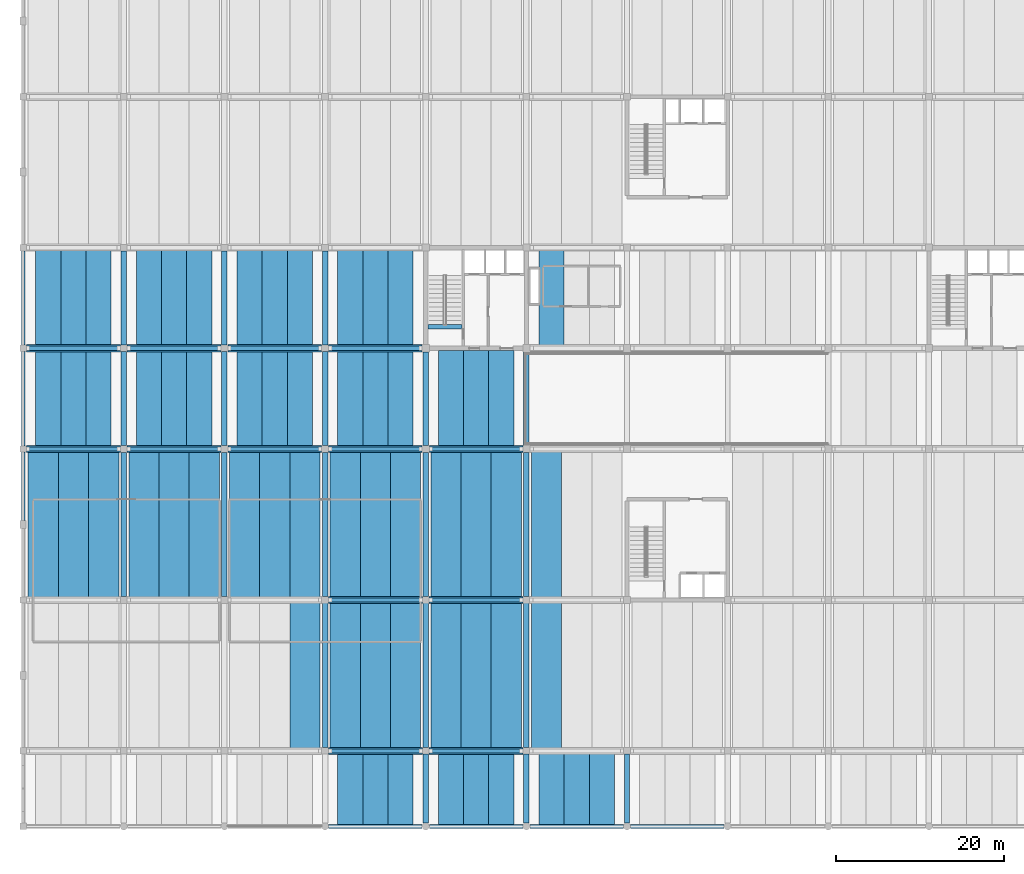
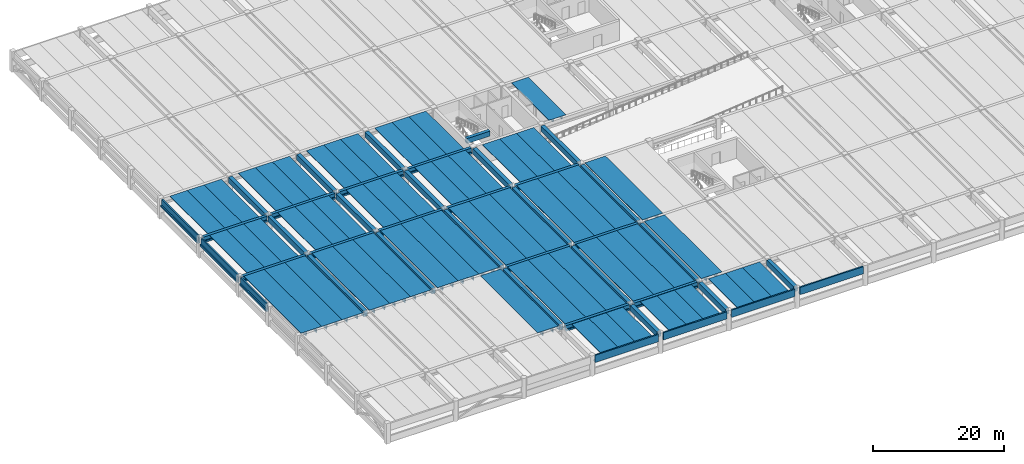
# One storey, part 2 of 21: 101 beams.
"""IFC4 building model written with IfcOpenShell, lengths in metres."""

from ifc_helpers import new_model, si_unit, direction, frame, origin, origin_2d, place, context, subcontext, project, spatial, polyline, rectangle, outline, extrude, material, material_profile, profile_set, type_object, element, save


model = new_model("IFC4")

# Units and contexts
model_context = context("Model", 3, precision=1e-05, world=origin(), true_north=direction((0.0, 1.0)))
body_context = subcontext(model_context, "Body", "Model", "MODEL_VIEW")
ifc_project = project(units=[si_unit("LENGTHUNIT", "METRE"), si_unit("AREAUNIT", "SQUARE_METRE"), si_unit("VOLUMEUNIT", "CUBIC_METRE"), si_unit("PLANEANGLEUNIT", "RADIAN"), si_unit("MASSUNIT", "GRAM", prefix="KILO")], contexts=[model_context])

# Site, building, storey
site_placement = place(None, origin())
site = spatial("IfcSite", under=ifc_project, at=site_placement, CompositionType="ELEMENT")
building_placement = place(site_placement, origin())
building = spatial("IfcBuilding", under=site, at=building_placement, Name="Girod Span Mobility Hub", CompositionType="ELEMENT")
storey_placement = place(building_placement, frame((0.0, 0.0, 17.199951171875)))
storey = spatial("IfcBuildingStorey", under=building, at=storey_placement, Name="L04", CompositionType="ELEMENT", Elevation=17.199951171875)

# Beams
ifc_material_1 = material(Name="Concrete C50/60", Category="concrete")
ifc_material_profile_1 = material_profile(ifc_material_1, outline(polyline([(-1.5, 0.300048828125), (-1.5, 0.2099609375), (-0.8349609375, 0.2099609375), (-0.8125, -0.300048828125), (-0.6875, -0.300048828125), (-0.6650390625, 0.2099609375), (0.6650390625, 0.2099609375), (0.6875, -0.300048828125), (0.8125, -0.300048828125), (0.8349609375, 0.2099609375), (1.5, 0.2099609375), (1.5, 0.300048828125), (-1.5, 0.300048828125)])), Name="DT-3000X600")
ifc_profile_set_1 = profile_set([ifc_material_profile_1], Name="Concrete C50/60")
beam_type_1 = type_object("IfcBeamType", Name="BM-DT-3000X600", PredefinedType="JOIST", material=ifc_profile_set_1)
for number, where, z_axis, x_axis, name in (
    (1, (3.0, 45.2470703125, 3.280029296875), (0.0, 1.0, 0.0), (-1.0, 0.0, 0.0), "Double-Tee Deck 1/D-1 L04"),
    (2, (6.0, 45.2470703125, 3.280029296875), (0.0, 1.0, 0.0), (-1.0, 0.0, 0.0), "Double-Tee Deck 1/D-2 L04"),
    (3, (9.0, 45.2470703125, 3.280029296875), (0.0, 1.0, 0.0), (-1.0, 0.0, 0.0), "Double-Tee Deck 1/D-3 L04"),
    (4, (3.0, 57.2470703125, 3.280029296875), (0.0, 1.0, 0.0), (-1.0, 0.0, 0.0), "Double-Tee Deck 1/E-1 L04"),
    (5, (6.0, 57.2470703125, 3.280029296875), (0.0, 1.0, 0.0), (-1.0, 0.0, 0.0), "Double-Tee Deck 1/E-2 L04"),
    (6, (9.0, 57.2470703125, 3.280029296875), (0.0, 1.0, 0.0), (-1.0, 0.0, 0.0), "Double-Tee Deck 1/E-3 L04"),
    (7, (15.0, 45.2470703125, 3.340087890625), (0.0, 1.0, 0.0), (-1.0, 0.0, 0.0), "Double-Tee Deck 2/D-1 L04"),
    (8, (18.0, 45.2470703125, 3.340087890625), (0.0, 1.0, 0.0), (-1.0, 0.0, 0.0), "Double-Tee Deck 2/D-2 L04"),
    (9, (21.0, 45.2470703125, 3.340087890625), (0.0, 1.0, 0.0), (-1.0, 0.0, 0.0), "Double-Tee Deck 2/D-3 L04"),
    (10, (15.0, 57.2470703125, 3.340087890625), (0.0, 1.0, 0.0), (-1.0, 0.0, 0.0), "Double-Tee Deck 2/E-1 L04"),
    (11, (18.0, 57.2470703125, 3.340087890625), (0.0, 1.0, 0.0), (-1.0, 0.0, 0.0), "Double-Tee Deck 2/E-2 L04"),
    (12, (21.0, 57.2470703125, 3.340087890625), (0.0, 1.0, 0.0), (-1.0, 0.0, 0.0), "Double-Tee Deck 2/E-3 L04"),
    (13, (27.0, 45.2470703125, 3.340087890625), (0.0, 1.0, 0.0), (-1.0, 0.0, 0.0), "Double-Tee Deck 3/D-1 L04"),
    (14, (30.0, 45.2470703125, 3.340087890625), (0.0, 1.0, 0.0), (-1.0, 0.0, 0.0), "Double-Tee Deck 3/D-2 L04"),
    (15, (33.0, 45.2470703125, 3.340087890625), (0.0, 1.0, 0.0), (-1.0, 0.0, 0.0), "Double-Tee Deck 3/D-3 L04"),
    (16, (27.0, 57.2470703125, 3.340087890625), (0.0, 1.0, 0.0), (-1.0, 0.0, 0.0), "Double-Tee Deck 3/E-1 L04"),
    (17, (30.0, 57.2470703125, 3.340087890625), (0.0, 1.0, 0.0), (-1.0, 0.0, 0.0), "Double-Tee Deck 3/E-2 L04"),
    (18, (33.0, 57.2470703125, 3.340087890625), (0.0, 1.0, 0.0), (-1.0, 0.0, 0.0), "Double-Tee Deck 3/E-3 L04"),
):
    element("IfcBeam", number, at=place(storey_placement, frame(where, z_axis=z_axis, x_axis=x_axis)), inside=storey, type_object=beam_type_1, Name=name, PredefinedType="JOIST", context=body_context, shape_type="SweptSolid", body=[
        extrude(outline(polyline([(-1.5, 0.300048828125), (-1.5, 0.2099609375), (-0.8349609375, 0.2099609375), (-0.8125, -0.300048828125), (-0.6875, -0.300048828125), (-0.6650390625, 0.2099609375), (0.6650390625, 0.2099609375), (0.6875, -0.300048828125), (0.8125, -0.300048828125), (0.8349609375, 0.2099609375), (1.5, 0.2099609375), (1.5, 0.300048828125), (-1.5, 0.300048828125)])), origin(), (0.0, 0.0, 1.0), 11.505859375),
    ])
for number, where, z_axis, x_axis, name in (
    (19, (39.0, 0.02197265625, 3.280029296875), (0.0, 1.0, 0.0), (-1.0, 0.0, 0.0), "Double-Tee Deck 4/A-1 L04"),
    (20, (42.0, 0.02197265625, 3.280029296875), (0.0, 1.0, 0.0), (-1.0, 0.0, 0.0), "Double-Tee Deck 4/A-2 L04"),
    (21, (45.0, 0.02197265625, 3.280029296875), (0.0, 1.0, 0.0), (-1.0, 0.0, 0.0), "Double-Tee Deck 4/A-3 L04"),
):
    element("IfcBeam", number, at=place(storey_placement, frame(where, z_axis=z_axis, x_axis=x_axis)), inside=storey, type_object=beam_type_1, Name=name, PredefinedType="JOIST", context=body_context, shape_type="SweptSolid", body=[
        extrude(outline(polyline([(-1.5, 0.300048828125), (-1.5, 0.2099609375), (-0.8349609375, 0.2099609375), (-0.8125, -0.300048828125), (-0.6875, -0.300048828125), (-0.6650390625, 0.2099609375), (0.6650390625, 0.2099609375), (0.6875, -0.300048828125), (0.8125, -0.300048828125), (0.8349609375, 0.2099609375), (1.5, 0.2099609375), (1.5, 0.300048828125), (-1.5, 0.300048828125)])), origin(), (0.0, 0.0, 1.0), 8.73095703125),
    ])
for number, where, z_axis, x_axis, name in (
    (22, (39.0, 45.2470703125, 3.340087890625), (0.0, 1.0, 0.0), (-1.0, 0.0, 0.0), "Double-Tee Deck 4/D-1 L04"),
    (23, (42.0, 45.2470703125, 3.340087890625), (0.0, 1.0, 0.0), (-1.0, 0.0, 0.0), "Double-Tee Deck 4/D-2 L04"),
    (24, (45.0, 45.2470703125, 3.340087890625), (0.0, 1.0, 0.0), (-1.0, 0.0, 0.0), "Double-Tee Deck 4/D-3 L04"),
    (25, (39.0, 57.2470703125, 3.340087890625), (0.0, 1.0, 0.0), (-1.0, 0.0, 0.0), "Double-Tee Deck 4/E-1 L04"),
    (26, (42.0, 57.2470703125, 3.340087890625), (0.0, 1.0, 0.0), (-1.0, 0.0, 0.0), "Double-Tee Deck 4/E-2 L04"),
    (27, (45.0, 57.2470703125, 3.340087890625), (0.0, 1.0, 0.0), (-1.0, 0.0, 0.0), "Double-Tee Deck 4/E-3 L04"),
):
    element("IfcBeam", number, at=place(storey_placement, frame(where, z_axis=z_axis, x_axis=x_axis)), inside=storey, type_object=beam_type_1, Name=name, PredefinedType="JOIST", context=body_context, shape_type="SweptSolid", body=[
        extrude(outline(polyline([(-1.5, 0.300048828125), (-1.5, 0.2099609375), (-0.8349609375, 0.2099609375), (-0.8125, -0.300048828125), (-0.6875, -0.300048828125), (-0.6650390625, 0.2099609375), (0.6650390625, 0.2099609375), (0.6875, -0.300048828125), (0.8125, -0.300048828125), (0.8349609375, 0.2099609375), (1.5, 0.2099609375), (1.5, 0.300048828125), (-1.5, 0.300048828125)])), origin(), (0.0, 0.0, 1.0), 11.505859375),
    ])
for number, where, z_axis, x_axis, name in (
    (28, (51.0, 0.02197265625, 3.280029296875), (0.0, 1.0, 0.0), (-1.0, 0.0, 0.0), "Double-Tee Deck 5/A-1 L04"),
    (29, (54.0, 0.02197265625, 3.280029296875), (0.0, 1.0, 0.0), (-1.0, 0.0, 0.0), "Double-Tee Deck 5/A-2 L04"),
    (30, (57.0, 0.02197265625, 3.280029296875), (0.0, 1.0, 0.0), (-1.0, 0.0, 0.0), "Double-Tee Deck 5/A-3 L04"),
):
    element("IfcBeam", number, at=place(storey_placement, frame(where, z_axis=z_axis, x_axis=x_axis)), inside=storey, type_object=beam_type_1, Name=name, PredefinedType="JOIST", context=body_context, shape_type="SweptSolid", body=[
        extrude(outline(polyline([(-1.5, 0.300048828125), (-1.5, 0.2099609375), (-0.8349609375, 0.2099609375), (-0.8125, -0.300048828125), (-0.6875, -0.300048828125), (-0.6650390625, 0.2099609375), (0.6650390625, 0.2099609375), (0.6875, -0.300048828125), (0.8125, -0.300048828125), (0.8349609375, 0.2099609375), (1.5, 0.2099609375), (1.5, 0.300048828125), (-1.5, 0.300048828125)])), origin(), (0.0, 0.0, 1.0), 8.73095703125),
    ])
for number, where, z_axis, x_axis, name in (
    (31, (51.0, 45.2470703125, 3.340087890625), (0.0, 1.0, 0.0), (-1.0, 0.0, 0.0), "Double-Tee Deck 5/D-1 L04"),
    (32, (54.0, 45.2470703125, 3.340087890625), (0.0, 1.0, 0.0), (-1.0, 0.0, 0.0), "Double-Tee Deck 5/D-2 L04"),
    (33, (57.0, 45.2470703125, 3.340087890625), (0.0, 1.0, 0.0), (-1.0, 0.0, 0.0), "Double-Tee Deck 5/D-3 L04"),
):
    element("IfcBeam", number, at=place(storey_placement, frame(where, z_axis=z_axis, x_axis=x_axis)), inside=storey, type_object=beam_type_1, Name=name, PredefinedType="JOIST", context=body_context, shape_type="SweptSolid", body=[
        extrude(outline(polyline([(-1.5, 0.300048828125), (-1.5, 0.2099609375), (-0.8349609375, 0.2099609375), (-0.8125, -0.300048828125), (-0.6875, -0.300048828125), (-0.6650390625, 0.2099609375), (0.6650390625, 0.2099609375), (0.6875, -0.300048828125), (0.8125, -0.300048828125), (0.8349609375, 0.2099609375), (1.5, 0.2099609375), (1.5, 0.300048828125), (-1.5, 0.300048828125)])), origin(), (0.0, 0.0, 1.0), 11.505859375),
    ])
for number, where, z_axis, x_axis, name in (
    (34, (63.0, 0.02197265625, 3.280029296875), (0.0, 1.0, 0.0), (-1.0, 0.0, 0.0), "Double-Tee Deck 6/A-1 L04"),
    (35, (66.0, 0.02197265625, 3.280029296875), (0.0, 1.0, 0.0), (-1.0, 0.0, 0.0), "Double-Tee Deck 6/A-2 L04"),
    (36, (69.0, 0.02197265625, 3.280029296875), (0.0, 1.0, 0.0), (-1.0, 0.0, 0.0), "Double-Tee Deck 6/A-3 L04"),
):
    element("IfcBeam", number, at=place(storey_placement, frame(where, z_axis=z_axis, x_axis=x_axis)), inside=storey, type_object=beam_type_1, Name=name, PredefinedType="JOIST", context=body_context, shape_type="SweptSolid", body=[
        extrude(outline(polyline([(-1.5, 0.300048828125), (-1.5, 0.2099609375), (-0.8349609375, 0.2099609375), (-0.8125, -0.300048828125), (-0.6875, -0.300048828125), (-0.6650390625, 0.2099609375), (0.6650390625, 0.2099609375), (0.6875, -0.300048828125), (0.8125, -0.300048828125), (0.8349609375, 0.2099609375), (1.5, 0.2099609375), (1.5, 0.300048828125), (-1.5, 0.300048828125)])), origin(), (0.0, 0.0, 1.0), 8.73095703125),
    ])
beam_1_placement = place(storey_placement, frame((63.0, 57.2470703125, 3.340087890625), z_axis=(0.0, 1.0, 0.0), x_axis=(-1.0, 0.0, 0.0)))
element("IfcBeam", 37, at=beam_1_placement, inside=storey, type_object=beam_type_1, Name="Double-Tee Deck 6/E-1 L04", PredefinedType="JOIST", context=body_context, shape_type="SweptSolid", body=[
    extrude(outline(polyline([(-1.5, 0.300048828125), (-1.5, 0.2099609375), (-0.8349609375, 0.2099609375), (-0.8125, -0.300048828125), (-0.6875, -0.300048828125), (-0.6650390625, 0.2099609375), (0.6650390625, 0.2099609375), (0.6875, -0.300048828125), (0.8125, -0.300048828125), (0.8349609375, 0.2099609375), (1.5, 0.2099609375), (1.5, 0.300048828125), (-1.5, 0.300048828125)])), origin(), (0.0, 0.0, 1.0), 11.505859375),
])
ifc_material_2 = material(Name="Concrete C50/60", Category="concrete")
ifc_material_profile_2 = material_profile(ifc_material_2, outline(polyline([(-1.800048828125, 0.425048828125), (-1.800048828125, 0.324951171875), (-1.0, 0.324951171875), (-0.969970703125, -0.425048828125), (-0.830078125, -0.425048828125), (-0.800048828125, 0.324951171875), (0.800048828125, 0.324951171875), (0.830078125, -0.425048828125), (0.969970703125, -0.425048828125), (1.0, 0.324951171875), (1.800048828125, 0.324951171875), (1.800048828125, 0.425048828125), (-1.800048828125, 0.425048828125)])), Name="DT-3600X850")
ifc_profile_set_2 = profile_set([ifc_material_profile_2], Name="Concrete C50/60")
beam_type_2 = type_object("IfcBeamType", Name="BM-DT-3600X850", PredefinedType="JOIST", material=ifc_profile_set_2)
for number, where, z_axis, x_axis, name in (
    (38, (2.39990234375, 27.2470703125, 3.155029296875), (0.0, 1.0, 0.0), (-1.0, 0.0, 0.0), "Double-Tee Deck 1/C-1 L04"),
    (39, (6.0, 27.2470703125, 3.155029296875), (0.0, 1.0, 0.0), (-1.0, 0.0, 0.0), "Double-Tee Deck 1/C-2 L04"),
    (40, (9.60009765625, 27.2470703125, 3.155029296875), (0.0, 1.0, 0.0), (-1.0, 0.0, 0.0), "Double-Tee Deck 1/C-3 L04"),
    (41, (14.39990234375, 27.2470703125, 3.215087890625), (0.0, 1.0, 0.0), (-1.0, 0.0, 0.0), "Double-Tee Deck 2/C-1 L04"),
    (42, (18.0, 27.2470703125, 3.215087890625), (0.0, 1.0, 0.0), (-1.0, 0.0, 0.0), "Double-Tee Deck 2/C-2 L04"),
    (43, (21.60009765625, 27.2470703125, 3.215087890625), (0.0, 1.0, 0.0), (-1.0, 0.0, 0.0), "Double-Tee Deck 2/C-3 L04"),
    (44, (33.60009765625, 9.2470703125, 3.215087890625), (0.0, 1.0, 0.0), (-1.0, 0.0, 0.0), "Double-Tee Deck 3/B-3 L04"),
    (45, (26.39990234375, 27.2470703125, 3.215087890625), (0.0, 1.0, 0.0), (-1.0, 0.0, 0.0), "Double-Tee Deck 3/C-1 L04"),
    (46, (30.0, 27.2470703125, 3.215087890625), (0.0, 1.0, 0.0), (-1.0, 0.0, 0.0), "Double-Tee Deck 3/C-2 L04"),
    (47, (33.60009765625, 27.2470703125, 3.215087890625), (0.0, 1.0, 0.0), (-1.0, 0.0, 0.0), "Double-Tee Deck 3/C-3 L04"),
    (48, (38.39990234375, 9.2470703125, 3.215087890625), (0.0, 1.0, 0.0), (-1.0, 0.0, 0.0), "Double-Tee Deck 4/B-1 L04"),
    (49, (42.0, 9.2470703125, 3.215087890625), (0.0, 1.0, 0.0), (-1.0, 0.0, 0.0), "Double-Tee Deck 4/B-2 L04"),
    (50, (45.60009765625, 9.2470703125, 3.215087890625), (0.0, 1.0, 0.0), (-1.0, 0.0, 0.0), "Double-Tee Deck 4/B-3 L04"),
    (51, (38.39990234375, 27.2470703125, 3.215087890625), (0.0, 1.0, 0.0), (-1.0, 0.0, 0.0), "Double-Tee Deck 4/C-1 L04"),
    (52, (42.0, 27.2470703125, 3.215087890625), (0.0, 1.0, 0.0), (-1.0, 0.0, 0.0), "Double-Tee Deck 4/C-2 L04"),
    (53, (45.60009765625, 27.2470703125, 3.215087890625), (0.0, 1.0, 0.0), (-1.0, 0.0, 0.0), "Double-Tee Deck 4/C-3 L04"),
    (54, (50.39990234375, 9.2470703125, 3.215087890625), (0.0, 1.0, 0.0), (-1.0, 0.0, 0.0), "Double-Tee Deck 5/B-1 L04"),
    (55, (54.0, 9.2470703125, 3.215087890625), (0.0, 1.0, 0.0), (-1.0, 0.0, 0.0), "Double-Tee Deck 5/B-2 L04"),
    (56, (57.60009765625, 9.2470703125, 3.215087890625), (0.0, 1.0, 0.0), (-1.0, 0.0, 0.0), "Double-Tee Deck 5/B-3 L04"),
    (57, (50.39990234375, 27.2470703125, 3.215087890625), (0.0, 1.0, 0.0), (-1.0, 0.0, 0.0), "Double-Tee Deck 5/C-1 L04"),
    (58, (54.0, 27.2470703125, 3.215087890625), (0.0, 1.0, 0.0), (-1.0, 0.0, 0.0), "Double-Tee Deck 5/C-2 L04"),
    (59, (57.60009765625, 27.2470703125, 3.215087890625), (0.0, 1.0, 0.0), (-1.0, 0.0, 0.0), "Double-Tee Deck 5/C-3 L04"),
    (60, (62.39990234375, 9.2470703125, 3.215087890625), (0.0, 1.0, 0.0), (-1.0, 0.0, 0.0), "Double-Tee Deck 6/B-1 L04"),
    (61, (62.39990234375, 27.2470703125, 3.215087890625), (0.0, 1.0, 0.0), (-1.0, 0.0, 0.0), "Double-Tee Deck 6/C-1 L04"),
):
    element("IfcBeam", number, at=place(storey_placement, frame(where, z_axis=z_axis, x_axis=x_axis)), inside=storey, type_object=beam_type_2, Name=name, PredefinedType="JOIST", context=body_context, shape_type="SweptSolid", body=[
        extrude(outline(polyline([(-1.800048828125, 0.425048828125), (-1.800048828125, 0.324951171875), (-1.0, 0.324951171875), (-0.969970703125, -0.425048828125), (-0.830078125, -0.425048828125), (-0.800048828125, 0.324951171875), (0.800048828125, 0.324951171875), (0.830078125, -0.425048828125), (0.969970703125, -0.425048828125), (1.0, 0.324951171875), (1.800048828125, 0.324951171875), (1.800048828125, 0.425048828125), (-1.800048828125, 0.425048828125)])), origin(), (0.0, 0.0, 1.0), 17.505859375),
    ])
ifc_material_3 = material(Name="Concrete C50/60", Category="concrete")
ifc_material_profile_3 = material_profile(ifc_material_3, outline(polyline([(-0.425048828125, -0.47509765625), (0.425048828125, -0.47509765625), (0.425048828125, -0.155029296875), (0.25, -0.155029296875), (0.25, 0.47509765625), (-0.25, 0.47509765625), (-0.25, -0.155029296875), (-0.425048828125, -0.155029296875), (-0.425048828125, -0.47509765625)])), Name="IT-850X950")
ifc_profile_set_3 = profile_set([ifc_material_profile_3], Name="Concrete C50/60")
beam_type_3 = type_object("IfcBeamType", Name="BM-IT-850X950", PredefinedType="T_BEAM", material=ifc_profile_set_3)
for number, where, z_axis, x_axis, name in (
    (62, (36.39697265625, 9.0, 3.1650390625), (1.0, 0.0, 0.0), (0.0, 1.0, 0.0), "Girder 4-5/B L04"),
    (63, (48.39697265625, 9.0, 3.1650390625), (1.0, 0.0, 0.0), (0.0, 1.0, 0.0), "Girder 5-6/B L04"),
    (64, (36.39697265625, 27.0, 3.1650390625), (1.0, 0.0, 0.0), (0.0, 1.0, 0.0), "Girder 4-5/C L04"),
    (65, (48.39697265625, 27.0, 3.1650390625), (1.0, 0.0, 0.0), (0.0, 1.0, 0.0), "Girder 5-6/C L04"),
):
    element("IfcBeam", number, at=place(storey_placement, frame(where, z_axis=z_axis, x_axis=x_axis)), inside=storey, type_object=beam_type_3, Name=name, PredefinedType="T_BEAM", context=body_context, shape_type="SweptSolid", body=[
        extrude(outline(polyline([(-0.425048828125, -0.47509765625), (0.425048828125, -0.47509765625), (0.425048828125, -0.155029296875), (0.25, -0.155029296875), (0.25, 0.47509765625), (-0.25, 0.47509765625), (-0.25, -0.155029296875), (-0.425048828125, -0.155029296875), (-0.425048828125, -0.47509765625)])), origin(), (0.0, 0.0, 1.0), 11.2060546875),
    ])
beam_2_placement = place(storey_placement, frame((0.3720703125, 45.0, 3.10498046875), z_axis=(1.0, 0.0, 0.0), x_axis=(0.0, 1.0, 0.0)))
element("IfcBeam", 66, at=beam_2_placement, inside=storey, type_object=beam_type_3, Name="Girder 1-2/D L04", PredefinedType="T_BEAM", context=body_context, shape_type="SweptSolid", body=[
    extrude(outline(polyline([(-0.425048828125, -0.47509765625), (0.425048828125, -0.47509765625), (0.425048828125, -0.155029296875), (0.25, -0.155029296875), (0.25, 0.47509765625), (-0.25, 0.47509765625), (-0.25, -0.155029296875), (-0.425048828125, -0.155029296875), (-0.425048828125, -0.47509765625)])), origin(), (0.0, 0.0, 1.0), 11.23095703125),
])
for number, where, z_axis, x_axis, name in (
    (67, (12.39697265625, 45.0, 3.1650390625), (1.0, 0.0, 0.0), (0.0, 1.0, 0.0), "Girder 2-3/D L04"),
    (68, (24.39697265625, 45.0, 3.1650390625), (1.0, 0.0, 0.0), (0.0, 1.0, 0.0), "Girder 3-4/D L04"),
):
    element("IfcBeam", number, at=place(storey_placement, frame(where, z_axis=z_axis, x_axis=x_axis)), inside=storey, type_object=beam_type_3, Name=name, PredefinedType="T_BEAM", context=body_context, shape_type="SweptSolid", body=[
        extrude(outline(polyline([(-0.425048828125, -0.47509765625), (0.425048828125, -0.47509765625), (0.425048828125, -0.155029296875), (0.25, -0.155029296875), (0.25, 0.47509765625), (-0.25, 0.47509765625), (-0.25, -0.155029296875), (-0.425048828125, -0.155029296875), (-0.425048828125, -0.47509765625)])), origin(), (0.0, 0.0, 1.0), 11.2060546875),
    ])
beam_3_placement = place(storey_placement, frame((36.39697265625, 45.0, 3.1650390625), z_axis=(1.0, 0.0, 0.0), x_axis=(0.0, 1.0, 0.0)))
element("IfcBeam", 69, at=beam_3_placement, inside=storey, type_object=beam_type_3, Name="Girder 4-5/D L04", PredefinedType="T_BEAM", context=body_context, shape_type="SweptSolid", body=[
    extrude(outline(polyline([(-0.425048828125, -0.47509765625), (0.425048828125, -0.47509765625), (0.425048828125, -0.155029296875), (0.25, -0.155029296875), (0.25, 0.47509765625), (-0.25, 0.47509765625), (-0.25, -0.155029296875), (-0.425048828125, -0.155029296875), (-0.425048828125, -0.47509765625)])), origin(), (0.0, 0.0, 1.0), 11.180908203125),
])
beam_4_placement = place(storey_placement, frame((48.422119140625, 45.0, 3.1650390625), z_axis=(1.0, 0.0, 0.0), x_axis=(0.0, 1.0, 0.0)))
element("IfcBeam", 70, at=beam_4_placement, inside=storey, type_object=beam_type_3, Name="Girder 5-6/D L04", PredefinedType="T_BEAM", context=body_context, shape_type="SweptSolid", body=[
    extrude(outline(polyline([(-0.425048828125, -0.47509765625), (0.425048828125, -0.47509765625), (0.425048828125, -0.155029296875), (0.25, -0.155029296875), (0.25, 0.47509765625), (-0.25, 0.47509765625), (-0.25, -0.155029296875), (-0.425048828125, -0.155029296875), (-0.425048828125, -0.47509765625)])), origin(), (0.0, 0.0, 1.0), 11.15576171875),
])
beam_5_placement = place(storey_placement, frame((0.3720703125, 57.0, 3.10498046875), z_axis=(1.0, 0.0, 0.0), x_axis=(0.0, 1.0, 0.0)))
element("IfcBeam", 71, at=beam_5_placement, inside=storey, type_object=beam_type_3, Name="Girder 1-2/E L04", PredefinedType="T_BEAM", context=body_context, shape_type="SweptSolid", body=[
    extrude(outline(polyline([(-0.425048828125, -0.47509765625), (0.425048828125, -0.47509765625), (0.425048828125, -0.155029296875), (0.25, -0.155029296875), (0.25, 0.47509765625), (-0.25, 0.47509765625), (-0.25, -0.155029296875), (-0.425048828125, -0.155029296875), (-0.425048828125, -0.47509765625)])), origin(), (0.0, 0.0, 1.0), 11.23095703125),
])
for number, where, z_axis, x_axis, name in (
    (72, (12.39697265625, 57.0, 3.1650390625), (1.0, 0.0, 0.0), (0.0, 1.0, 0.0), "Girder 2-3/E L04"),
    (73, (24.39697265625, 57.0, 3.1650390625), (1.0, 0.0, 0.0), (0.0, 1.0, 0.0), "Girder 3-4/E L04"),
):
    element("IfcBeam", number, at=place(storey_placement, frame(where, z_axis=z_axis, x_axis=x_axis)), inside=storey, type_object=beam_type_3, Name=name, PredefinedType="T_BEAM", context=body_context, shape_type="SweptSolid", body=[
        extrude(outline(polyline([(-0.425048828125, -0.47509765625), (0.425048828125, -0.47509765625), (0.425048828125, -0.155029296875), (0.25, -0.155029296875), (0.25, 0.47509765625), (-0.25, 0.47509765625), (-0.25, -0.155029296875), (-0.425048828125, -0.155029296875), (-0.425048828125, -0.47509765625)])), origin(), (0.0, 0.0, 1.0), 11.2060546875),
    ])
beam_6_placement = place(storey_placement, frame((36.39697265625, 57.0, 3.1650390625), z_axis=(1.0, 0.0, 0.0), x_axis=(0.0, 1.0, 0.0)))
element("IfcBeam", 74, at=beam_6_placement, inside=storey, type_object=beam_type_3, Name="Girder 4-5/E L04", PredefinedType="T_BEAM", context=body_context, shape_type="SweptSolid", body=[
    extrude(outline(polyline([(-0.425048828125, -0.47509765625), (0.425048828125, -0.47509765625), (0.425048828125, -0.155029296875), (0.25, -0.155029296875), (0.25, 0.47509765625), (-0.25, 0.47509765625), (-0.25, -0.155029296875), (-0.425048828125, -0.155029296875), (-0.425048828125, -0.47509765625)])), origin(), (0.0, 0.0, 1.0), 11.180908203125),
])
ifc_material_4 = material(Name="Concrete C40/50", Category="concrete")
ifc_material_profile_4 = material_profile(ifc_material_4, rectangle(XDim=0.550048828125, YDim=0.949951171875, at=origin_2d()), Name="RK-550X950")
ifc_profile_set_4 = profile_set([ifc_material_profile_4], Name="Concrete C40/50")
beam_type_4 = type_object("IfcBeamType", Name="BM-RK-550X950", PredefinedType="BEAM", material=ifc_profile_set_4)
beam_7_placement = place(storey_placement, frame((48.2470703125, 59.550048828125, 3.1650390625), z_axis=(1.0, 0.0, 0.0), x_axis=(0.0, 1.0, 0.0)))
element("IfcBeam", 75, at=beam_7_placement, inside=storey, type_object=beam_type_4, Name="Stair ST-1 Landing Header Beam L04", PredefinedType="BEAM", context=body_context, shape_type="SweptSolid", body=[
    extrude(rectangle(XDim=0.550048828125, YDim=0.949951171875, at=origin_2d()), origin(), (0.0, 0.0, 1.0), 4.055908203125),
])
ifc_material_5 = material(Name="Concrete C40/50", Category="concrete")
ifc_material_profile_5 = material_profile(ifc_material_5, outline(polyline([(-0.22509765625, -0.675048828125), (0.22509765625, -0.675048828125), (0.22509765625, -0.324951171875), (0.02490234375, -0.324951171875), (0.02490234375, 0.675048828125), (-0.22509765625, 0.675048828125), (-0.22509765625, -0.675048828125)])), Name="SP-450X1350")
ifc_profile_set_5 = profile_set([ifc_material_profile_5], Name="Concrete C40/50")
beam_type_5 = type_object("IfcBeamType", Name="BM-SP-450X1350", PredefinedType="SPANDREL", material=ifc_profile_set_5)
for number, where, z_axis, x_axis, name in (
    (76, (36.422119140625, 0.0, 2.905029296875), (1.0, 0.0, 0.0), (0.0, 1.0, 0.0), "Girder 4-5/A L04"),
    (77, (48.422119140625, 0.0, 2.905029296875), (1.0, 0.0, 0.0), (0.0, 1.0, 0.0), "Girder 5-6/A L04"),
    (78, (60.422119140625, 0.0, 2.905029296875), (1.0, 0.0, 0.0), (0.0, 1.0, 0.0), "Girder 6-7/A L04"),
    (79, (72.422119140625, 0.0, 2.905029296875), (1.0, 0.0, 0.0), (0.0, 1.0, 0.0), "Girder 7-8/A L04"),
):
    element("IfcBeam", number, at=place(storey_placement, frame(where, z_axis=z_axis, x_axis=x_axis)), inside=storey, type_object=beam_type_5, Name=name, PredefinedType="SPANDREL", context=body_context, shape_type="SweptSolid", body=[
        extrude(outline(polyline([(-0.22509765625, -0.675048828125), (0.22509765625, -0.675048828125), (0.22509765625, -0.324951171875), (0.02490234375, -0.324951171875), (0.02490234375, 0.675048828125), (-0.22509765625, 0.675048828125), (-0.22509765625, -0.675048828125)])), origin(), (0.0, 0.0, 1.0), 11.15576171875),
    ])
beam_8_placement = place(storey_placement, frame((0.0, 36.471923828125, 2.905029296875), z_axis=(0.0, 1.0, 0.0), x_axis=(-1.0, 0.0, 0.0)))
element("IfcBeam", 80, at=beam_8_placement, inside=storey, type_object=beam_type_5, Name="Perimeter Spandrel 1/C-N L04", PredefinedType="SPANDREL", context=body_context, shape_type="SweptSolid", body=[
    extrude(outline(polyline([(-0.22509765625, -0.675048828125), (0.22509765625, -0.675048828125), (0.22509765625, -0.324951171875), (0.02490234375, -0.324951171875), (0.02490234375, 0.675048828125), (-0.22509765625, 0.675048828125), (-0.22509765625, -0.675048828125)])), origin(), (0.0, 0.0, 1.0), 8.156005859375),
])
for number, where, z_axis, x_axis, name in (
    (81, (0.0, 45.3720703125, 2.905029296875), (0.0, 1.0, 0.0), (-1.0, 0.0, 0.0), "Tie Girder 1/D-E L04"),
    (82, (0.0, 57.3720703125, 2.905029296875), (0.0, 1.0, 0.0), (-1.0, 0.0, 0.0), "Tie Girder 1/E-F L04"),
):
    element("IfcBeam", number, at=place(storey_placement, frame(where, z_axis=z_axis, x_axis=x_axis)), inside=storey, type_object=beam_type_5, Name=name, PredefinedType="SPANDREL", context=body_context, shape_type="SweptSolid", body=[
        extrude(outline(polyline([(-0.22509765625, -0.675048828125), (0.22509765625, -0.675048828125), (0.22509765625, -0.324951171875), (0.02490234375, -0.324951171875), (0.02490234375, 0.675048828125), (-0.22509765625, 0.675048828125), (-0.22509765625, -0.675048828125)])), origin(), (0.0, 0.0, 1.0), 11.255859375),
    ])
ifc_material_6 = material(Name="Concrete C40/50", Category="concrete")
ifc_material_profile_6 = material_profile(ifc_material_6, rectangle(XDim=0.64990234375, YDim=1.0, at=origin_2d()), Name="TG-650X1000")
ifc_profile_set_6 = profile_set([ifc_material_profile_6], Name="Concrete C40/50")
beam_type_6 = type_object("IfcBeamType", Name="BM-TG-650X1000", PredefinedType="T_BEAM", material=ifc_profile_set_6)
beam_9_placement = place(storey_placement, frame((12.0, 27.39697265625, 3.14013671875), z_axis=(0.0, 1.0, 0.0), x_axis=(-1.0, 0.0, 0.0)))
element("IfcBeam", 83, at=beam_9_placement, inside=storey, type_object=beam_type_6, Name="Tie Girder 2/C-D L04", PredefinedType="T_BEAM", context=body_context, shape_type="SweptSolid", body=[
    extrude(rectangle(XDim=0.64990234375, YDim=1.0, at=origin_2d()), origin(), (0.0, 0.0, 1.0), 17.2060546875),
])
for number, where, z_axis, x_axis, name in (
    (84, (12.0, 45.39697265625, 3.14013671875), (0.0, 1.0, 0.0), (-1.0, 0.0, 0.0), "Tie Girder 2/D-E L04"),
    (85, (12.0, 57.39697265625, 3.14013671875), (0.0, 1.0, 0.0), (-1.0, 0.0, 0.0), "Tie Girder 2/E-F L04"),
):
    element("IfcBeam", number, at=place(storey_placement, frame(where, z_axis=z_axis, x_axis=x_axis)), inside=storey, type_object=beam_type_6, Name=name, PredefinedType="T_BEAM", context=body_context, shape_type="SweptSolid", body=[
        extrude(rectangle(XDim=0.64990234375, YDim=1.0, at=origin_2d()), origin(), (0.0, 0.0, 1.0), 11.2060546875),
    ])
beam_10_placement = place(storey_placement, frame((24.0, 27.39697265625, 3.14013671875), z_axis=(0.0, 1.0, 0.0), x_axis=(-1.0, 0.0, 0.0)))
element("IfcBeam", 86, at=beam_10_placement, inside=storey, type_object=beam_type_6, Name="Tie Girder 3/C-D L04", PredefinedType="T_BEAM", context=body_context, shape_type="SweptSolid", body=[
    extrude(rectangle(XDim=0.64990234375, YDim=1.0, at=origin_2d()), origin(), (0.0, 0.0, 1.0), 17.2060546875),
])
for number, where, z_axis, x_axis, name in (
    (87, (24.0, 45.39697265625, 3.14013671875), (0.0, 1.0, 0.0), (-1.0, 0.0, 0.0), "Tie Girder 3/D-E L04"),
    (88, (24.0, 57.39697265625, 3.14013671875), (0.0, 1.0, 0.0), (-1.0, 0.0, 0.0), "Tie Girder 3/E-F L04"),
):
    element("IfcBeam", number, at=place(storey_placement, frame(where, z_axis=z_axis, x_axis=x_axis)), inside=storey, type_object=beam_type_6, Name=name, PredefinedType="T_BEAM", context=body_context, shape_type="SweptSolid", body=[
        extrude(rectangle(XDim=0.64990234375, YDim=1.0, at=origin_2d()), origin(), (0.0, 0.0, 1.0), 11.2060546875),
    ])
for number, where, z_axis, x_axis, name in (
    (89, (36.0, 9.39697265625, 3.14013671875), (0.0, 1.0, 0.0), (-1.0, 0.0, 0.0), "Tie Girder 4/B-C L04"),
    (90, (36.0, 27.39697265625, 3.14013671875), (0.0, 1.0, 0.0), (-1.0, 0.0, 0.0), "Tie Girder 4/C-D L04"),
):
    element("IfcBeam", number, at=place(storey_placement, frame(where, z_axis=z_axis, x_axis=x_axis)), inside=storey, type_object=beam_type_6, Name=name, PredefinedType="T_BEAM", context=body_context, shape_type="SweptSolid", body=[
        extrude(rectangle(XDim=0.64990234375, YDim=1.0, at=origin_2d()), origin(), (0.0, 0.0, 1.0), 17.2060546875),
    ])
for number, where, z_axis, x_axis, name in (
    (91, (36.0, 45.39697265625, 3.14013671875), (0.0, 1.0, 0.0), (-1.0, 0.0, 0.0), "Tie Girder 4/D-E L04"),
    (92, (36.0, 57.39697265625, 3.14013671875), (0.0, 1.0, 0.0), (-1.0, 0.0, 0.0), "Tie Girder 4/E-F L04"),
):
    element("IfcBeam", number, at=place(storey_placement, frame(where, z_axis=z_axis, x_axis=x_axis)), inside=storey, type_object=beam_type_6, Name=name, PredefinedType="T_BEAM", context=body_context, shape_type="SweptSolid", body=[
        extrude(rectangle(XDim=0.64990234375, YDim=1.0, at=origin_2d()), origin(), (0.0, 0.0, 1.0), 11.2060546875),
    ])
beam_11_placement = place(storey_placement, frame((48.0, 0.422119140625, 3.080078125), z_axis=(0.0, 1.0, 0.0), x_axis=(-1.0, 0.0, 0.0)))
element("IfcBeam", 93, at=beam_11_placement, inside=storey, type_object=beam_type_6, Name="Tie Girder 5/A-B L04", PredefinedType="T_BEAM", context=body_context, shape_type="SweptSolid", body=[
    extrude(rectangle(XDim=0.64990234375, YDim=1.0, at=origin_2d()), origin(), (0.0, 0.0, 1.0), 8.180908203125),
])
beam_12_placement = place(storey_placement, frame((48.0, 9.39697265625, 3.14013671875), z_axis=(0.0, 1.0, 0.0), x_axis=(-1.0, 0.0, 0.0)))
element("IfcBeam", 94, at=beam_12_placement, inside=storey, type_object=beam_type_6, Name="Tie Girder 5/B-C L04", PredefinedType="T_BEAM", context=body_context, shape_type="SweptSolid", body=[
    extrude(rectangle(XDim=0.64990234375, YDim=1.0, at=origin_2d()), origin(), (0.0, 0.0, 1.0), 17.2060546875),
])
beam_13_placement = place(storey_placement, frame((48.0, 27.39697265625, 3.14013671875), z_axis=(0.0, 1.0, 0.0), x_axis=(-1.0, 0.0, 0.0)))
element("IfcBeam", 95, at=beam_13_placement, inside=storey, type_object=beam_type_6, Name="Tie Girder 5/C-D L04", PredefinedType="T_BEAM", context=body_context, shape_type="SweptSolid", body=[
    extrude(rectangle(XDim=0.64990234375, YDim=1.0, at=origin_2d()), origin(), (0.0, 0.0, 1.0), 17.180908203125),
])
beam_14_placement = place(storey_placement, frame((48.0, 45.422119140625, 3.14013671875), z_axis=(0.0, 1.0, 0.0), x_axis=(-1.0, 0.0, 0.0)))
element("IfcBeam", 96, at=beam_14_placement, inside=storey, type_object=beam_type_6, Name="Tie Girder 5/D-E L04", PredefinedType="T_BEAM", context=body_context, shape_type="SweptSolid", body=[
    extrude(rectangle(XDim=0.64990234375, YDim=1.0, at=origin_2d()), origin(), (0.0, 0.0, 1.0), 11.15576171875),
])
beam_15_placement = place(storey_placement, frame((60.0, 0.422119140625, 3.080078125), z_axis=(0.0, 1.0, 0.0), x_axis=(-1.0, 0.0, 0.0)))
element("IfcBeam", 97, at=beam_15_placement, inside=storey, type_object=beam_type_6, Name="Tie Girder 6/A-B L04", PredefinedType="T_BEAM", context=body_context, shape_type="SweptSolid", body=[
    extrude(rectangle(XDim=0.64990234375, YDim=1.0, at=origin_2d()), origin(), (0.0, 0.0, 1.0), 8.180908203125),
])
beam_16_placement = place(storey_placement, frame((60.0, 9.39697265625, 3.14013671875), z_axis=(0.0, 1.0, 0.0), x_axis=(-1.0, 0.0, 0.0)))
element("IfcBeam", 98, at=beam_16_placement, inside=storey, type_object=beam_type_6, Name="Tie Girder 6/B-C L04", PredefinedType="T_BEAM", context=body_context, shape_type="SweptSolid", body=[
    extrude(rectangle(XDim=0.64990234375, YDim=1.0, at=origin_2d()), origin(), (0.0, 0.0, 1.0), 17.2060546875),
])
beam_17_placement = place(storey_placement, frame((60.0, 27.39697265625, 3.14013671875), z_axis=(0.0, 1.0, 0.0), x_axis=(-1.0, 0.0, 0.0)))
element("IfcBeam", 99, at=beam_17_placement, inside=storey, type_object=beam_type_6, Name="Tie Girder 6/C-D L04", PredefinedType="T_BEAM", context=body_context, shape_type="SweptSolid", body=[
    extrude(rectangle(XDim=0.64990234375, YDim=1.0, at=origin_2d()), origin(), (0.0, 0.0, 1.0), 17.180908203125),
])
beam_18_placement = place(storey_placement, frame((60.0, 45.422119140625, 3.14013671875), z_axis=(0.0, 1.0, 0.0), x_axis=(-1.0, 0.0, 0.0)))
element("IfcBeam", 100, at=beam_18_placement, inside=storey, type_object=beam_type_6, Name="Tie Girder 6/D-E L04", PredefinedType="T_BEAM", context=body_context, shape_type="SweptSolid", body=[
    extrude(rectangle(XDim=0.64990234375, YDim=1.0, at=origin_2d()), origin(), (0.0, 0.0, 1.0), 11.15576171875),
])
beam_19_placement = place(storey_placement, frame((72.0, 0.422119140625, 3.080078125), z_axis=(0.0, 1.0, 0.0), x_axis=(-1.0, 0.0, 0.0)))
element("IfcBeam", 101, at=beam_19_placement, inside=storey, type_object=beam_type_6, Name="Tie Girder 7/A-B L04", PredefinedType="T_BEAM", context=body_context, shape_type="SweptSolid", body=[
    extrude(rectangle(XDim=0.64990234375, YDim=1.0, at=origin_2d()), origin(), (0.0, 0.0, 1.0), 8.180908203125),
])

save(model, "model.ifc")
